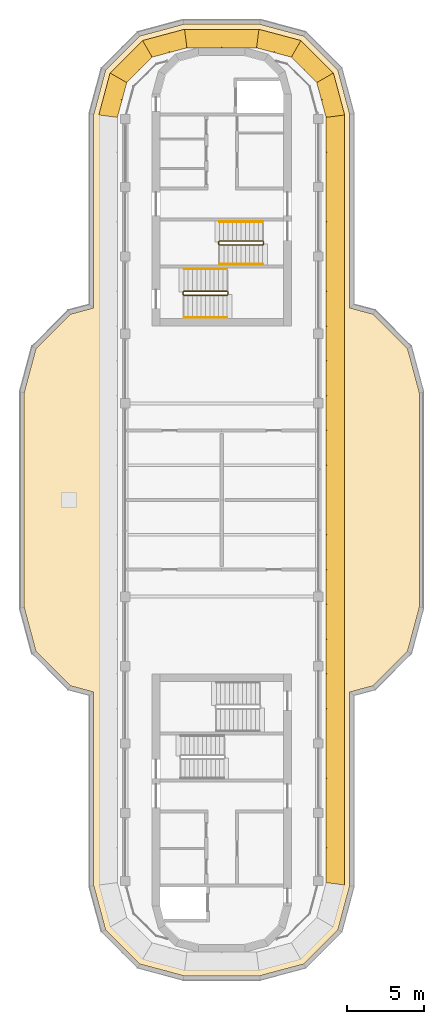
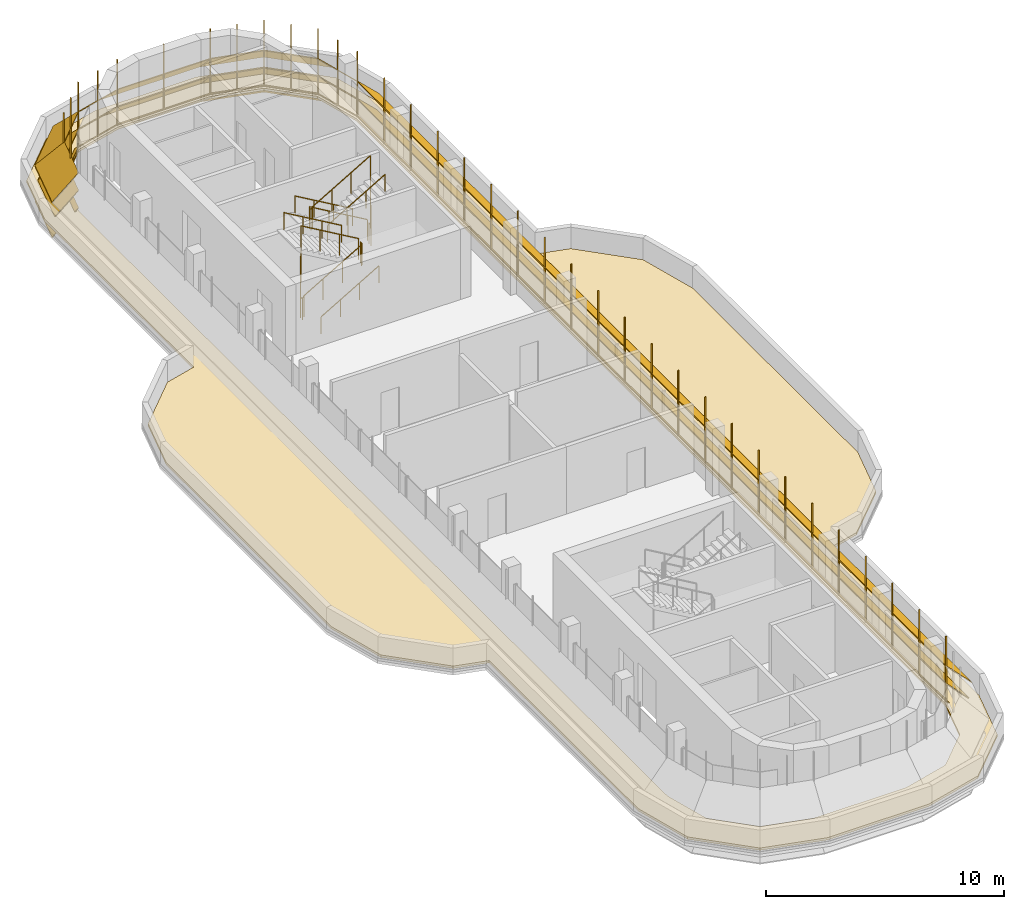
# One storey, part 12 of 12: 6 railings, 4 shading devices, 1 covering.
"""IFC4 building model written with IfcOpenShell, lengths in metres."""

from ifc_helpers import new_model, si_unit, direction, frame, origin, origin_2d, place, context, subcontext, project, spatial, polyline, circle, outline, extrude, faceted_brep, source, transform, mapped, material, layer, layer_set, type_object, element, save


model = new_model("IFC4")

# Units and contexts
model_context = context("Model", 3, precision=1e-05, world=origin(), true_north=direction((0.0, 1.0)))
body_context = subcontext(model_context, "Body", "Model", "MODEL_VIEW")
ifc_project = project(units=[si_unit("LENGTHUNIT", "METRE"), si_unit("AREAUNIT", "SQUARE_METRE"), si_unit("VOLUMEUNIT", "CUBIC_METRE"), si_unit("PLANEANGLEUNIT", "RADIAN"), si_unit("MASSUNIT", "GRAM", prefix="KILO")], contexts=[model_context])

# Site, building, storey
site_placement = place(None, origin())
site = spatial("IfcSite", under=ifc_project, at=site_placement, CompositionType="ELEMENT")
building_placement = place(site_placement, origin())
building = spatial("IfcBuilding", under=site, at=building_placement, Name="Zarbagh Exchange Tower", CompositionType="ELEMENT")
storey_placement = place(building_placement, frame((0.0, 0.0, 306.0)))
storey = spatial("IfcBuildingStorey", under=building, at=storey_placement, Name="L75", CompositionType="ELEMENT", Elevation=306.0)

# Railings
ifc_material_1 = material(Name="Stainless steel", Category="steel")
railing_type_1 = type_object("IfcRailingType", Name="Stair guard 1100 mm", PredefinedType="GUARDRAIL", material=ifc_material_1)
railing_1_placement = place(storey_placement, frame((2.64990234375, 16.75, 0.16357421875)))
element("IfcRailing", 1, at=railing_1_placement, inside=storey, type_object=railing_type_1, Name="ST1 stair guard 1", PredefinedType="GUARDRAIL", context=body_context, shape_type="SweptSolid", body=[
    extrude(circle(Radius=0.02392578125, at=origin_2d()), frame((0.0, 0.0, 1.076171875), z_axis=(-0.863341702679, 0.0, 0.504619762213), x_axis=(0.0, -1.0, 0.0)), (0.0, 0.0, 1.0), 3.242919921875),
    extrude(circle(Radius=0.02392578125, at=origin_2d()), frame((-2.7998046875, 0.0, 2.71240234375), z_axis=(-0.707106781187, -0.707106781187, 0.0), x_axis=(0.707106781187, -0.707106781187, 0.0)), (0.0, 0.0, 1.0), 0.07080078125),
    extrude(circle(Radius=0.02392578125, at=origin_2d()), frame((-2.849853515625, -0.050048828125, 2.71240234375), z_axis=(0.0, -1.0, 0.0), x_axis=(1.0, 0.0, 0.0)), (0.0, 0.0, 1.0), 0.14990234375),
    extrude(circle(Radius=0.02392578125, at=origin_2d()), frame((-2.849853515625, -0.199951171875, 2.71240234375), z_axis=(0.280808744504, -0.280808744504, 0.917765164963), x_axis=(0.707106781187, 0.707106781187, 0.0)), (0.0, 0.0, 1.0), 0.17822265625),
    extrude(circle(Radius=0.02392578125, at=origin_2d()), frame((-2.7998046875, -0.25, 2.8759765625), z_axis=(0.863341702679, 0.0, 0.504619762213), x_axis=(0.0, 1.0, 0.0)), (0.0, 0.0, 1.0), 3.242919921875),
    extrude(circle(Radius=0.02392578125, at=origin_2d()), frame((0.0, -0.25, 4.5126953125), z_axis=(0.013899389096, 0.013899389096, -0.999806788317), x_axis=(-0.707106781187, 0.707106781187, 0.0)), (0.0, 0.0, 1.0), 3.600830078125),
    extrude(circle(Radius=0.02392578125, at=origin_2d()), frame((0.050048828125, -0.199951171875, 0.91259765625), z_axis=(0.0, 1.0, 0.0), x_axis=(-1.0, 0.0, 0.0)), (0.0, 0.0, 1.0), 0.14990234375),
    extrude(circle(Radius=0.02099609375, at=origin_2d()), origin(), (0.0, 0.0, 1.0), 1.052001953125),
    extrude(circle(Radius=0.02099609375, at=origin_2d()), frame((-0.933349609375, 0.0, 0.54541015625)), (0.0, 0.0, 1.0), 1.052001953125),
    extrude(circle(Radius=0.02099609375, at=origin_2d()), frame((-1.866455078125, 0.0, 1.091064453125)), (0.0, 0.0, 1.0), 1.052001953125),
    extrude(circle(Radius=0.02099609375, at=origin_2d()), frame((-2.7998046875, 0.0, 1.636474609375)), (0.0, 0.0, 1.0), 1.052001953125),
    extrude(circle(Radius=0.02099609375, at=origin_2d()), frame((-2.849853515625, -0.050048828125, 1.636474609375)), (0.0, 0.0, 1.0), 1.052001953125),
    extrude(circle(Radius=0.02099609375, at=origin_2d()), frame((-2.849853515625, -0.199951171875, 1.636474609375)), (0.0, 0.0, 1.0), 1.052001953125),
    extrude(circle(Radius=0.02099609375, at=origin_2d()), frame((-2.7998046875, -0.25, 1.800048828125)), (0.0, 0.0, 1.0), 1.052001953125),
    extrude(circle(Radius=0.02099609375, at=origin_2d()), frame((-1.866455078125, -0.25, 2.345458984375)), (0.0, 0.0, 1.0), 1.052001953125),
    extrude(circle(Radius=0.02099609375, at=origin_2d()), frame((-0.933349609375, -0.25, 2.89111328125)), (0.0, 0.0, 1.0), 1.052001953125),
    extrude(circle(Radius=0.02099609375, at=origin_2d()), frame((0.0, -0.25, 3.4365234375)), (0.0, 0.0, 1.0), 1.052001953125),
    extrude(circle(Radius=0.02099609375, at=origin_2d()), frame((0.012451171875, -0.237548828125, 2.53662109375)), (0.0, 0.0, 1.0), 1.052001953125),
    extrude(circle(Radius=0.02099609375, at=origin_2d()), frame((0.02490234375, -0.22509765625, 1.636474609375)), (0.0, 0.0, 1.0), 1.052001953125),
    extrude(circle(Radius=0.02099609375, at=origin_2d()), frame((0.03759765625, -0.21240234375, 0.736328125)), (0.0, 0.0, 1.0), 1.052001953125),
    extrude(circle(Radius=0.02099609375, at=origin_2d()), frame((0.050048828125, -0.199951171875, -0.16357421875)), (0.0, 0.0, 1.0), 1.052001953125),
    extrude(circle(Radius=0.02099609375, at=origin_2d()), frame((0.050048828125, -0.050048828125, -0.16357421875)), (0.0, 0.0, 1.0), 1.052001953125),
])
railing_2_placement = place(storey_placement, frame((0.35009765625, 13.5, 1.963623046875)))
element("IfcRailing", 2, at=railing_2_placement, inside=storey, type_object=railing_type_1, Name="ST2 stair guard 1", PredefinedType="GUARDRAIL", context=body_context, shape_type="SweptSolid", body=[
    extrude(circle(Radius=0.02392578125, at=origin_2d()), frame((0.0, 0.0, 1.076171875), z_axis=(-0.863360870873, 0.0, 0.504586966384), x_axis=(0.0, -1.0, 0.0)), (0.0, 0.0, 1.0), 3.2431640625),
    extrude(circle(Radius=0.02392578125, at=origin_2d()), frame((-2.800048828125, 0.0, 2.71240234375), z_axis=(-0.013899389096, -0.013899389096, -0.999806788317), x_axis=(0.707106781187, -0.707106781187, 0.0)), (0.0, 0.0, 1.0), 3.600830078125),
    extrude(circle(Radius=0.02392578125, at=origin_2d()), frame((-2.85009765625, -0.050048828125, -0.8876953125), z_axis=(0.0, -1.0, 0.0), x_axis=(1.0, 0.0, 0.0)), (0.0, 0.0, 1.0), 0.14990234375),
    extrude(circle(Radius=0.02392578125, at=origin_2d()), frame((-2.85009765625, -0.199951171875, -0.8876953125), z_axis=(0.280808744504, -0.280808744504, 0.917765164963), x_axis=(0.707106781187, 0.707106781187, 0.0)), (0.0, 0.0, 1.0), 0.17822265625),
    extrude(circle(Radius=0.02392578125, at=origin_2d()), frame((-2.800048828125, -0.25, -0.72412109375), z_axis=(0.863360870873, 0.0, 0.504586966384), x_axis=(0.0, 1.0, 0.0)), (0.0, 0.0, 1.0), 3.2431640625),
    extrude(circle(Radius=0.02392578125, at=origin_2d()), frame((0.0, -0.25, 0.91259765625), z_axis=(0.705375805398, 0.708833529934, 0.0), x_axis=(-0.708833529934, 0.705375805398, 0.0)), (0.0, 0.0, 1.0), 0.070556640625),
    extrude(circle(Radius=0.02392578125, at=origin_2d()), frame((0.0498046875, -0.199951171875, 0.91259765625), z_axis=(0.0, 1.0, 0.0), x_axis=(-1.0, 0.0, 0.0)), (0.0, 0.0, 1.0), 0.14990234375),
    extrude(circle(Radius=0.02099609375, at=origin_2d()), origin(), (0.0, 0.0, 1.0), 1.052001953125),
    extrude(circle(Radius=0.02099609375, at=origin_2d()), frame((-0.933349609375, 0.0, 0.54541015625)), (0.0, 0.0, 1.0), 1.052001953125),
    extrude(circle(Radius=0.02099609375, at=origin_2d()), frame((-1.86669921875, 0.0, 1.091064453125)), (0.0, 0.0, 1.0), 1.052001953125),
    extrude(circle(Radius=0.02099609375, at=origin_2d()), frame((-2.800048828125, 0.0, 1.636474609375)), (0.0, 0.0, 1.0), 1.052001953125),
    extrude(circle(Radius=0.02099609375, at=origin_2d()), frame((-2.8125, -0.012451171875, 0.736328125)), (0.0, 0.0, 1.0), 1.052001953125),
    extrude(circle(Radius=0.02099609375, at=origin_2d()), frame((-2.8251953125, -0.02490234375, -0.16357421875)), (0.0, 0.0, 1.0), 1.052001953125),
    extrude(circle(Radius=0.02099609375, at=origin_2d()), frame((-2.837646484375, -0.03759765625, -1.0634765625)), (0.0, 0.0, 1.0), 1.052001953125),
    extrude(circle(Radius=0.02099609375, at=origin_2d()), frame((-2.85009765625, -0.050048828125, -1.963623046875)), (0.0, 0.0, 1.0), 1.052001953125),
    extrude(circle(Radius=0.02099609375, at=origin_2d()), frame((-2.85009765625, -0.199951171875, -1.963623046875)), (0.0, 0.0, 1.0), 1.052001953125),
    extrude(circle(Radius=0.02099609375, at=origin_2d()), frame((-2.800048828125, -0.25, -1.800048828125)), (0.0, 0.0, 1.0), 1.052001953125),
    extrude(circle(Radius=0.02099609375, at=origin_2d()), frame((-1.86669921875, -0.25, -1.254638671875)), (0.0, 0.0, 1.0), 1.052001953125),
    extrude(circle(Radius=0.02099609375, at=origin_2d()), frame((-0.933349609375, -0.25, -0.708984375)), (0.0, 0.0, 1.0), 1.052001953125),
    extrude(circle(Radius=0.02099609375, at=origin_2d()), frame((0.0, -0.25, -0.16357421875)), (0.0, 0.0, 1.0), 1.052001953125),
    extrude(circle(Radius=0.02099609375, at=origin_2d()), frame((0.0498046875, -0.199951171875, -0.16357421875)), (0.0, 0.0, 1.0), 1.052001953125),
    extrude(circle(Radius=0.02099609375, at=origin_2d()), frame((0.0498046875, -0.050048828125, -0.16357421875)), (0.0, 0.0, 1.0), 1.052001953125),
])
railing_type_2 = type_object("IfcRailingType", Name="Stair handrail 900 mm", PredefinedType="HANDRAIL", material=ifc_material_1)
railing_3_placement = place(storey_placement, frame((2.64990234375, 18.0, 0.16357421875)))
element("IfcRailing", 3, at=railing_3_placement, inside=storey, type_object=railing_type_2, Name="ST1 stair handrail 1", PredefinedType="HANDRAIL", context=body_context, shape_type="SweptSolid", body=[
    extrude(circle(Radius=0.02392578125, at=origin_2d()), frame((0.0, 0.0, 0.8759765625), z_axis=(-0.863341702679, 0.0, 0.504619762213), x_axis=(0.0, -1.0, 0.0)), (0.0, 0.0, 1.0), 3.242919921875),
    extrude(circle(Radius=0.02099609375, at=origin_2d()), origin(), (0.0, 0.0, 1.0), 0.851806640625),
    extrude(circle(Radius=0.02099609375, at=origin_2d()), frame((-0.933349609375, 0.0, 0.54541015625)), (0.0, 0.0, 1.0), 0.851806640625),
    extrude(circle(Radius=0.02099609375, at=origin_2d()), frame((-1.866455078125, 0.0, 1.091064453125)), (0.0, 0.0, 1.0), 0.851806640625),
    extrude(circle(Radius=0.02099609375, at=origin_2d()), frame((-2.7998046875, 0.0, 1.636474609375)), (0.0, 0.0, 1.0), 0.851806640625),
])
railing_4_placement = place(storey_placement, frame((-0.14990234375, 15.25, 1.963623046875)))
element("IfcRailing", 4, at=railing_4_placement, inside=storey, type_object=railing_type_2, Name="ST1 stair handrail 2", PredefinedType="HANDRAIL", context=body_context, shape_type="SweptSolid", body=[
    extrude(circle(Radius=0.02392578125, at=origin_2d()), frame((0.0, 0.0, 0.8759765625), z_axis=(0.863341702679, 0.0, 0.504619762213), x_axis=(0.0, 1.0, 0.0)), (0.0, 0.0, 1.0), 3.242919921875),
    extrude(circle(Radius=0.02099609375, at=origin_2d()), origin(), (0.0, 0.0, 1.0), 0.851806640625),
    extrude(circle(Radius=0.02099609375, at=origin_2d()), frame((0.933349609375, 0.0, 0.54541015625)), (0.0, 0.0, 1.0), 0.851806640625),
    extrude(circle(Radius=0.02099609375, at=origin_2d()), frame((1.866455078125, 0.0, 1.091064453125)), (0.0, 0.0, 1.0), 0.851806640625),
    extrude(circle(Radius=0.02099609375, at=origin_2d()), frame((2.7998046875, 0.0, 1.636474609375)), (0.0, 0.0, 1.0), 0.851806640625),
])
railing_5_placement = place(storey_placement, frame((-2.449951171875, 11.800048828125, 0.16357421875)))
element("IfcRailing", 5, at=railing_5_placement, inside=storey, type_object=railing_type_2, Name="ST2 stair handrail 1", PredefinedType="HANDRAIL", context=body_context, shape_type="SweptSolid", body=[
    extrude(circle(Radius=0.02392578125, at=origin_2d()), frame((0.0, 0.0, 0.8759765625), z_axis=(0.863360870873, 0.0, 0.504586966384), x_axis=(0.0, 1.0, 0.0)), (0.0, 0.0, 1.0), 3.2431640625),
    extrude(circle(Radius=0.02099609375, at=origin_2d()), origin(), (0.0, 0.0, 1.0), 0.851806640625),
    extrude(circle(Radius=0.02099609375, at=origin_2d()), frame((0.933349609375, 0.0, 0.54541015625)), (0.0, 0.0, 1.0), 0.851806640625),
    extrude(circle(Radius=0.02099609375, at=origin_2d()), frame((1.86669921875, 0.0, 1.091064453125)), (0.0, 0.0, 1.0), 0.851806640625),
    extrude(circle(Radius=0.02099609375, at=origin_2d()), frame((2.800048828125, 0.0, 1.636474609375)), (0.0, 0.0, 1.0), 0.851806640625),
])
railing_6_placement = place(storey_placement, frame((0.35009765625, 14.949951171875, 1.963623046875)))
element("IfcRailing", 6, at=railing_6_placement, inside=storey, type_object=railing_type_2, Name="ST2 stair handrail 2", PredefinedType="HANDRAIL", context=body_context, shape_type="SweptSolid", body=[
    extrude(circle(Radius=0.02392578125, at=origin_2d()), frame((0.0, 0.0, 0.8759765625), z_axis=(-0.863360870873, 0.0, 0.504586966384), x_axis=(0.0, -1.0, 0.0)), (0.0, 0.0, 1.0), 3.2431640625),
    extrude(circle(Radius=0.02099609375, at=origin_2d()), origin(), (0.0, 0.0, 1.0), 0.851806640625),
    extrude(circle(Radius=0.02099609375, at=origin_2d()), frame((-0.933349609375, 0.0, 0.54541015625)), (0.0, 0.0, 1.0), 0.851806640625),
    extrude(circle(Radius=0.02099609375, at=origin_2d()), frame((-1.86669921875, 0.0, 1.091064453125)), (0.0, 0.0, 1.0), 0.851806640625),
    extrude(circle(Radius=0.02099609375, at=origin_2d()), frame((-2.800048828125, 0.0, 1.636474609375)), (0.0, 0.0, 1.0), 0.851806640625),
])

# Covering
ifc_material_2 = material(Name="Bituminous membrane and screed")
ifc_layer = layer(ifc_material_2, 0.1201171875)
ifc_layer_set = layer_set([ifc_layer], Name="Terrace roofing build-up, waterproofing and screed")
covering_type = type_object("IfcCoveringType", Name="Terrace roofing build-up, waterproofing and screed", PredefinedType="ROOFING", material=ifc_layer_set)
covering_placement = place(storey_placement, origin())
element("IfcCovering", 7, at=covering_placement, inside=storey, type_object=covering_type, Name="crown roofing", PredefinedType="ROOFING", context=body_context, shape_type="SweptSolid", body=[
    extrude(outline(polyline([(-2.451416015625, 30.780029296875), (2.451416015625, 30.780029296875), (5.2919921875, 30.018798828125), (7.518798828125, 27.7919921875), (8.280029296875, 24.951416015625), (8.280029296875, 12.424072265625), (9.7919921875, 12.018798828125), (12.018798828125, 9.7919921875), (12.780029296875, 6.951416015625), (12.780029296875, -6.951416015625), (12.018798828125, -9.7919921875), (9.7919921875, -12.018798828125), (8.280029296875, -12.424072265625), (8.280029296875, -24.951416015625), (7.518798828125, -27.7919921875), (5.2919921875, -30.018798828125), (2.451416015625, -30.780029296875), (-2.451416015625, -30.780029296875), (-5.2919921875, -30.018798828125), (-7.518798828125, -27.7919921875), (-8.280029296875, -24.951416015625), (-8.280029296875, -12.424072265625), (-9.7919921875, -12.018798828125), (-12.018798828125, -9.7919921875), (-12.780029296875, -6.951416015625), (-12.780029296875, 6.951416015625), (-12.018798828125, 9.7919921875), (-9.7919921875, 12.018798828125), (-8.280029296875, 12.424072265625), (-8.280029296875, 24.951416015625), (-7.518798828125, 27.7919921875), (-5.2919921875, 30.018798828125), (-2.451416015625, 30.780029296875)]), holes=[polyline([(6.147216796875, -27.0), (6.75, -24.75), (6.75, 24.75), (6.147216796875, 27.0), (4.5, 28.647216796875), (2.25, 29.25), (-2.25, 29.25), (-4.5, 28.647216796875), (-6.147216796875, 27.0), (-6.75, 24.75), (-6.75, -24.75), (-6.147216796875, -27.0), (-4.5, -28.647216796875), (-2.25, -29.25), (2.25, -29.25), (4.5, -28.647216796875), (6.147216796875, -27.0)])]), origin(), (0.0, 0.0, 1.0), 0.1201171875),
])

# Shading devices
ifc_material_3 = material(Name="Anodised aluminium blades and brackets", Category="aluminium")
shading_device_type = type_object("IfcShadingDeviceType", Name="SUNSHADE louvre band, 45 degree blades", PredefinedType="JALOUSIE", material=ifc_material_3)
shared_shape_1 = source(origin(), body_context, "Body", "Brep", [
    faceted_brep([(0.0, 0.0, 0.0), (0.0, 0.0, -0.056640625), (-0.157958984375, -1.199951171875, -1.256591796875), (-0.157958984375, -1.199951171875, -1.199951171875), (2.65087890625, -1.199951171875, -1.199951171875), (2.65087890625, -1.199951171875, -1.256591796875), (2.329345703125, 0.0, -0.056640625), (2.329345703125, 0.0, 0.0)], [[[0, 1, 2, 3]], [[4, 5, 6, 7]], [[0, 7, 6, 1]], [[1, 6, 5, 2]], [[2, 5, 4, 3]], [[3, 4, 7, 0]]]),
])
shared_shape_2 = source(origin(), body_context, "Body", "Brep", [
    faceted_brep([(0.0, 0.0, 0.0), (0.0, 0.0, -0.056640625), (-0.321533203125, -1.199951171875, -1.256591796875), (-0.321533203125, -1.199951171875, -1.199951171875), (2.65087890625, -1.199951171875, -1.199951171875), (2.65087890625, -1.199951171875, -1.256591796875), (2.329345703125, 0.0, -0.056640625), (2.329345703125, 0.0, 0.0)], [[[0, 1, 2, 3]], [[4, 5, 6, 7]], [[0, 7, 6, 1]], [[1, 6, 5, 2]], [[2, 5, 4, 3]], [[3, 4, 7, 0]]]),
])
shared_shape_3 = source(origin(), body_context, "Body", "Brep", [
    faceted_brep([(0.0, 0.0, 0.0), (0.0, 0.0, -0.056640625), (-0.321533203125, -1.199951171875, -1.256591796875), (-0.321533203125, -1.199951171875, -1.199951171875), (2.4873046875, -1.199951171875, -1.199951171875), (2.4873046875, -1.199951171875, -1.256591796875), (2.329345703125, 0.0, -0.056640625), (2.329345703125, 0.0, 0.0)], [[[0, 1, 2, 3]], [[4, 5, 6, 7]], [[0, 7, 6, 1]], [[1, 6, 5, 2]], [[2, 5, 4, 3]], [[3, 4, 7, 0]]]),
])
shared_shape_4 = source(origin(), body_context, "Body", "SweptSolid", [
    extrude(outline(polyline([(0.0, -0.012451171875), (0.06005859375, -0.012451171875), (0.06005859375, 0.012451171875), (0.0, 0.012451171875), (0.0, -0.012451171875)])), origin(), (0.0, 0.0, 1.0), 3.366455078125),
])
placement = place(storey_placement, origin())
element("IfcShadingDevice", 8, at=placement, inside=storey, type_object=shading_device_type, Name="SS46 sunshade band", PredefinedType="JALOUSIE", context=body_context, shape_type="MappedRepresentation", body=[
    mapped(shared_shape_1, transform((6.75, 24.75, 2.10009765625), x_axis=(-0.258824779902, 0.965924289636, 0.0), y_axis=(-0.965924289636, -0.258824779902, 0.0), z_axis=(0.0, 0.0, 1.0))),
    mapped(shared_shape_1, transform((6.75, 24.75, 1.199951171875), x_axis=(-0.258824779902, 0.965924289636, 0.0), y_axis=(-0.965924289636, -0.258824779902, 0.0), z_axis=(0.0, 0.0, 1.0))),
    mapped(shared_shape_1, transform((6.75, 24.75, 0.300048828125), x_axis=(-0.258824779902, 0.965924289636, 0.0), y_axis=(-0.965924289636, -0.258824779902, 0.0), z_axis=(0.0, 0.0, 1.0))),
    mapped(shared_shape_2, transform((6.147216796875, 27.0, 2.10009765625), x_axis=(-0.707106781187, 0.707106781187, 0.0), y_axis=(-0.707106781187, -0.707106781187, 0.0), z_axis=(0.0, 0.0, 1.0))),
    mapped(shared_shape_2, transform((6.147216796875, 27.0, 1.199951171875), x_axis=(-0.707106781187, 0.707106781187, 0.0), y_axis=(-0.707106781187, -0.707106781187, 0.0), z_axis=(0.0, 0.0, 1.0))),
    mapped(shared_shape_2, transform((6.147216796875, 27.0, 0.300048828125), x_axis=(-0.707106781187, 0.707106781187, 0.0), y_axis=(-0.707106781187, -0.707106781187, 0.0), z_axis=(0.0, 0.0, 1.0))),
    mapped(shared_shape_3, transform((4.5, 28.647216796875, 2.10009765625), x_axis=(-0.965924289636, 0.258824779902, 0.0), y_axis=(-0.258824779902, -0.965924289636, 0.0), z_axis=(0.0, 0.0, 1.0))),
    mapped(shared_shape_3, transform((4.5, 28.647216796875, 1.199951171875), x_axis=(-0.965924289636, 0.258824779902, 0.0), y_axis=(-0.258824779902, -0.965924289636, 0.0), z_axis=(0.0, 0.0, 1.0))),
    mapped(shared_shape_3, transform((4.5, 28.647216796875, 0.300048828125), x_axis=(-0.965924289636, 0.258824779902, 0.0), y_axis=(-0.258824779902, -0.965924289636, 0.0), z_axis=(0.0, 0.0, 1.0))),
    mapped(shared_shape_4, transform((6.75, 24.75, 0.21337890625), x_axis=(0.991444457092, 0.130529263012, 0.0), y_axis=(-0.130529263012, 0.991444457092, 0.0), z_axis=(0.0, 0.0, 1.0))),
    mapped(shared_shape_4, transform((6.448486328125, 25.875, 0.21337890625), x_axis=(0.96592421511, 0.258825058029, 0.0), y_axis=(-0.258825058029, 0.96592421511, 0.0), z_axis=(0.0, 0.0, 1.0))),
    mapped(shared_shape_4, transform((6.147216796875, 27.0, 0.21337890625), x_axis=(0.866023812018, 0.50000275701, 0.0), y_axis=(-0.50000275701, 0.866023812018, 0.0), z_axis=(0.0, 0.0, 1.0))),
    mapped(shared_shape_4, transform((5.323486328125, 27.823486328125, 0.21337890625), x_axis=(0.707106781187, 0.707106781187, 0.0), y_axis=(-0.707106781187, 0.707106781187, 0.0), z_axis=(0.0, 0.0, 1.0))),
    mapped(shared_shape_4, transform((4.5, 28.647216796875, 0.21337890625), x_axis=(0.50000275701, 0.866023812018, 0.0), y_axis=(-0.866023812018, 0.50000275701, 0.0), z_axis=(0.0, 0.0, 1.0))),
    mapped(shared_shape_4, transform((3.375, 28.948486328125, 0.21337890625), x_axis=(0.258825058029, 0.96592421511, 0.0), y_axis=(-0.96592421511, 0.258825058029, 0.0), z_axis=(0.0, 0.0, 1.0))),
])
element("IfcShadingDevice", 9, at=placement, inside=storey, type_object=shading_device_type, Name="SS48 sunshade band", PredefinedType="JALOUSIE", context=body_context, shape_type="MappedRepresentation", body=[
    mapped(shared_shape_1, transform((-2.25, 29.25, 2.10009765625), x_axis=(-0.965924289636, -0.258824779902, 0.0), y_axis=(0.258824779902, -0.965924289636, 0.0), z_axis=(0.0, 0.0, 1.0))),
    mapped(shared_shape_1, transform((-2.25, 29.25, 1.199951171875), x_axis=(-0.965924289636, -0.258824779902, 0.0), y_axis=(0.258824779902, -0.965924289636, 0.0), z_axis=(0.0, 0.0, 1.0))),
    mapped(shared_shape_1, transform((-2.25, 29.25, 0.300048828125), x_axis=(-0.965924289636, -0.258824779902, 0.0), y_axis=(0.258824779902, -0.965924289636, 0.0), z_axis=(0.0, 0.0, 1.0))),
    mapped(shared_shape_2, transform((-4.5, 28.647216796875, 2.10009765625), x_axis=(-0.707106781187, -0.707106781187, 0.0), y_axis=(0.707106781187, -0.707106781187, 0.0), z_axis=(0.0, 0.0, 1.0))),
    mapped(shared_shape_2, transform((-4.5, 28.647216796875, 1.199951171875), x_axis=(-0.707106781187, -0.707106781187, 0.0), y_axis=(0.707106781187, -0.707106781187, 0.0), z_axis=(0.0, 0.0, 1.0))),
    mapped(shared_shape_2, transform((-4.5, 28.647216796875, 0.300048828125), x_axis=(-0.707106781187, -0.707106781187, 0.0), y_axis=(0.707106781187, -0.707106781187, 0.0), z_axis=(0.0, 0.0, 1.0))),
    mapped(shared_shape_3, transform((-6.147216796875, 27.0, 2.10009765625), x_axis=(-0.258824779902, -0.965924289636, 0.0), y_axis=(0.965924289636, -0.258824779902, 0.0), z_axis=(0.0, 0.0, 1.0))),
    mapped(shared_shape_3, transform((-6.147216796875, 27.0, 1.199951171875), x_axis=(-0.258824779902, -0.965924289636, 0.0), y_axis=(0.965924289636, -0.258824779902, 0.0), z_axis=(0.0, 0.0, 1.0))),
    mapped(shared_shape_3, transform((-6.147216796875, 27.0, 0.300048828125), x_axis=(-0.258824779902, -0.965924289636, 0.0), y_axis=(0.965924289636, -0.258824779902, 0.0), z_axis=(0.0, 0.0, 1.0))),
    mapped(shared_shape_4, transform((-2.25, 29.25, 0.21337890625), x_axis=(-0.130529263012, 0.991444457092, 0.0), y_axis=(-0.991444457092, -0.130529263012, 0.0), z_axis=(0.0, 0.0, 1.0))),
    mapped(shared_shape_4, transform((-3.375, 28.948486328125, 0.21337890625), x_axis=(-0.258825058029, 0.96592421511, 0.0), y_axis=(-0.96592421511, -0.258825058029, 0.0), z_axis=(0.0, 0.0, 1.0))),
    mapped(shared_shape_4, transform((-4.5, 28.647216796875, 0.21337890625), x_axis=(-0.50000275701, 0.866023812018, 0.0), y_axis=(-0.866023812018, -0.50000275701, 0.0), z_axis=(0.0, 0.0, 1.0))),
    mapped(shared_shape_4, transform((-5.323486328125, 27.823486328125, 0.21337890625), x_axis=(-0.707106781187, 0.707106781187, 0.0), y_axis=(-0.707106781187, -0.707106781187, 0.0), z_axis=(0.0, 0.0, 1.0))),
    mapped(shared_shape_4, transform((-6.147216796875, 27.0, 0.21337890625), x_axis=(-0.866023812018, 0.50000275701, 0.0), y_axis=(-0.50000275701, -0.866023812018, 0.0), z_axis=(0.0, 0.0, 1.0))),
    mapped(shared_shape_4, transform((-6.448486328125, 25.875, 0.21337890625), x_axis=(-0.96592421511, 0.258825058029, 0.0), y_axis=(-0.258825058029, -0.96592421511, 0.0), z_axis=(0.0, 0.0, 1.0))),
])
shared_shape_5 = source(origin(), body_context, "Body", "Brep", [
    faceted_brep([(0.0, 0.0, 0.0), (0.0, 0.0, -0.056640625), (-0.157958984375, -1.199951171875, -1.256591796875), (-0.157958984375, -1.199951171875, -1.199951171875), (49.657958984375, -1.199951171875, -1.199951171875), (49.657958984375, -1.199951171875, -1.256591796875), (49.5, 0.0, -0.056640625), (49.5, 0.0, 0.0)], [[[0, 1, 2, 3]], [[4, 5, 6, 7]], [[0, 7, 6, 1]], [[1, 6, 5, 2]], [[2, 5, 4, 3]], [[3, 4, 7, 0]]]),
])
element("IfcShadingDevice", 10, at=placement, inside=storey, type_object=shading_device_type, Name="SS72 sunshade band", PredefinedType="JALOUSIE", context=body_context, shape_type="MappedRepresentation", body=[
    mapped(shared_shape_5, transform((6.75, -24.75, 2.10009765625), x_axis=(0.0, 1.0, 0.0), y_axis=(-1.0, 0.0, 0.0), z_axis=(0.0, 0.0, 1.0))),
    mapped(shared_shape_5, transform((6.75, -24.75, 1.199951171875), x_axis=(0.0, 1.0, 0.0), y_axis=(-1.0, 0.0, 0.0), z_axis=(0.0, 0.0, 1.0))),
    mapped(shared_shape_5, transform((6.75, -24.75, 0.300048828125), x_axis=(0.0, 1.0, 0.0), y_axis=(-1.0, 0.0, 0.0), z_axis=(0.0, 0.0, 1.0))),
    mapped(shared_shape_4, transform((6.75, -24.75, 0.21337890625), x_axis=(0.991444457092, -0.130529263012, 0.0), y_axis=(0.130529263012, 0.991444457092, 0.0), z_axis=(0.0, 0.0, 1.0))),
    mapped(shared_shape_4, transform((6.75, -22.5, 0.21337890625), x_axis=(1.0, 0.0, 0.0), y_axis=(0.0, 1.0, 0.0), z_axis=(0.0, 0.0, 1.0))),
    mapped(shared_shape_4, transform((6.75, -20.25, 0.21337890625), x_axis=(1.0, 0.0, 0.0), y_axis=(0.0, 1.0, 0.0), z_axis=(0.0, 0.0, 1.0))),
    mapped(shared_shape_4, transform((6.75, -18.0, 0.21337890625), x_axis=(1.0, 0.0, 0.0), y_axis=(0.0, 1.0, 0.0), z_axis=(0.0, 0.0, 1.0))),
    mapped(shared_shape_4, transform((6.75, -15.75, 0.21337890625), x_axis=(1.0, 0.0, 0.0), y_axis=(0.0, 1.0, 0.0), z_axis=(0.0, 0.0, 1.0))),
    mapped(shared_shape_4, transform((6.75, -13.5, 0.21337890625), x_axis=(1.0, 0.0, 0.0), y_axis=(0.0, 1.0, 0.0), z_axis=(0.0, 0.0, 1.0))),
    mapped(shared_shape_4, transform((6.75, -11.25, 0.21337890625), x_axis=(1.0, 0.0, 0.0), y_axis=(0.0, 1.0, 0.0), z_axis=(0.0, 0.0, 1.0))),
    mapped(shared_shape_4, transform((6.75, -9.0, 0.21337890625), x_axis=(1.0, 0.0, 0.0), y_axis=(0.0, 1.0, 0.0), z_axis=(0.0, 0.0, 1.0))),
    mapped(shared_shape_4, transform((6.75, -6.75, 0.21337890625), x_axis=(1.0, 0.0, 0.0), y_axis=(0.0, 1.0, 0.0), z_axis=(0.0, 0.0, 1.0))),
    mapped(shared_shape_4, transform((6.75, -4.5, 0.21337890625), x_axis=(1.0, 0.0, 0.0), y_axis=(0.0, 1.0, 0.0), z_axis=(0.0, 0.0, 1.0))),
    mapped(shared_shape_4, transform((6.75, -2.25, 0.21337890625), x_axis=(1.0, 0.0, 0.0), y_axis=(0.0, 1.0, 0.0), z_axis=(0.0, 0.0, 1.0))),
    mapped(shared_shape_4, transform((6.75, 0.0, 0.21337890625), x_axis=(1.0, 0.0, 0.0), y_axis=(0.0, 1.0, 0.0), z_axis=(0.0, 0.0, 1.0))),
    mapped(shared_shape_4, transform((6.75, 2.25, 0.21337890625), x_axis=(1.0, 0.0, 0.0), y_axis=(0.0, 1.0, 0.0), z_axis=(0.0, 0.0, 1.0))),
    mapped(shared_shape_4, transform((6.75, 4.5, 0.21337890625), x_axis=(1.0, 0.0, 0.0), y_axis=(0.0, 1.0, 0.0), z_axis=(0.0, 0.0, 1.0))),
    mapped(shared_shape_4, transform((6.75, 6.75, 0.21337890625), x_axis=(1.0, 0.0, 0.0), y_axis=(0.0, 1.0, 0.0), z_axis=(0.0, 0.0, 1.0))),
    mapped(shared_shape_4, transform((6.75, 9.0, 0.21337890625), x_axis=(1.0, 0.0, 0.0), y_axis=(0.0, 1.0, 0.0), z_axis=(0.0, 0.0, 1.0))),
    mapped(shared_shape_4, transform((6.75, 11.25, 0.21337890625), x_axis=(1.0, 0.0, 0.0), y_axis=(0.0, 1.0, 0.0), z_axis=(0.0, 0.0, 1.0))),
    mapped(shared_shape_4, transform((6.75, 13.5, 0.21337890625), x_axis=(1.0, 0.0, 0.0), y_axis=(0.0, 1.0, 0.0), z_axis=(0.0, 0.0, 1.0))),
    mapped(shared_shape_4, transform((6.75, 15.75, 0.21337890625), x_axis=(1.0, 0.0, 0.0), y_axis=(0.0, 1.0, 0.0), z_axis=(0.0, 0.0, 1.0))),
    mapped(shared_shape_4, transform((6.75, 18.0, 0.21337890625), x_axis=(1.0, 0.0, 0.0), y_axis=(0.0, 1.0, 0.0), z_axis=(0.0, 0.0, 1.0))),
    mapped(shared_shape_4, transform((6.75, 20.25, 0.21337890625), x_axis=(1.0, 0.0, 0.0), y_axis=(0.0, 1.0, 0.0), z_axis=(0.0, 0.0, 1.0))),
    mapped(shared_shape_4, transform((6.75, 22.5, 0.21337890625), x_axis=(1.0, 0.0, 0.0), y_axis=(0.0, 1.0, 0.0), z_axis=(0.0, 0.0, 1.0))),
])
shared_shape_6 = source(origin(), body_context, "Body", "Brep", [
    faceted_brep([(0.0, 0.0, 0.0), (0.0, 0.0, -0.056640625), (-0.157958984375, -1.199951171875, -1.256591796875), (-0.157958984375, -1.199951171875, -1.199951171875), (4.657958984375, -1.199951171875, -1.199951171875), (4.657958984375, -1.199951171875, -1.256591796875), (4.5, 0.0, -0.056640625), (4.5, 0.0, 0.0)], [[[0, 1, 2, 3]], [[4, 5, 6, 7]], [[0, 7, 6, 1]], [[1, 6, 5, 2]], [[2, 5, 4, 3]], [[3, 4, 7, 0]]]),
])
element("IfcShadingDevice", 11, at=placement, inside=storey, type_object=shading_device_type, Name="SS47 sunshade band", PredefinedType="JALOUSIE", context=body_context, shape_type="MappedRepresentation", body=[
    mapped(shared_shape_6, transform((2.25, 29.25, 2.10009765625), x_axis=(-1.0, 0.0, 0.0), y_axis=(0.0, -1.0, 0.0), z_axis=(0.0, 0.0, 1.0))),
    mapped(shared_shape_6, transform((2.25, 29.25, 1.199951171875), x_axis=(-1.0, 0.0, 0.0), y_axis=(0.0, -1.0, 0.0), z_axis=(0.0, 0.0, 1.0))),
    mapped(shared_shape_6, transform((2.25, 29.25, 0.300048828125), x_axis=(-1.0, 0.0, 0.0), y_axis=(0.0, -1.0, 0.0), z_axis=(0.0, 0.0, 1.0))),
    mapped(shared_shape_4, transform((2.25, 29.25, 0.21337890625), x_axis=(0.130529263012, 0.991444457092, 0.0), y_axis=(-0.991444457092, 0.130529263012, 0.0), z_axis=(0.0, 0.0, 1.0))),
    mapped(shared_shape_4, transform((0.0, 29.25, 0.21337890625), x_axis=(0.0, 1.0, 0.0), y_axis=(-1.0, 0.0, 0.0), z_axis=(0.0, 0.0, 1.0))),
])

save(model, "model.ifc")
